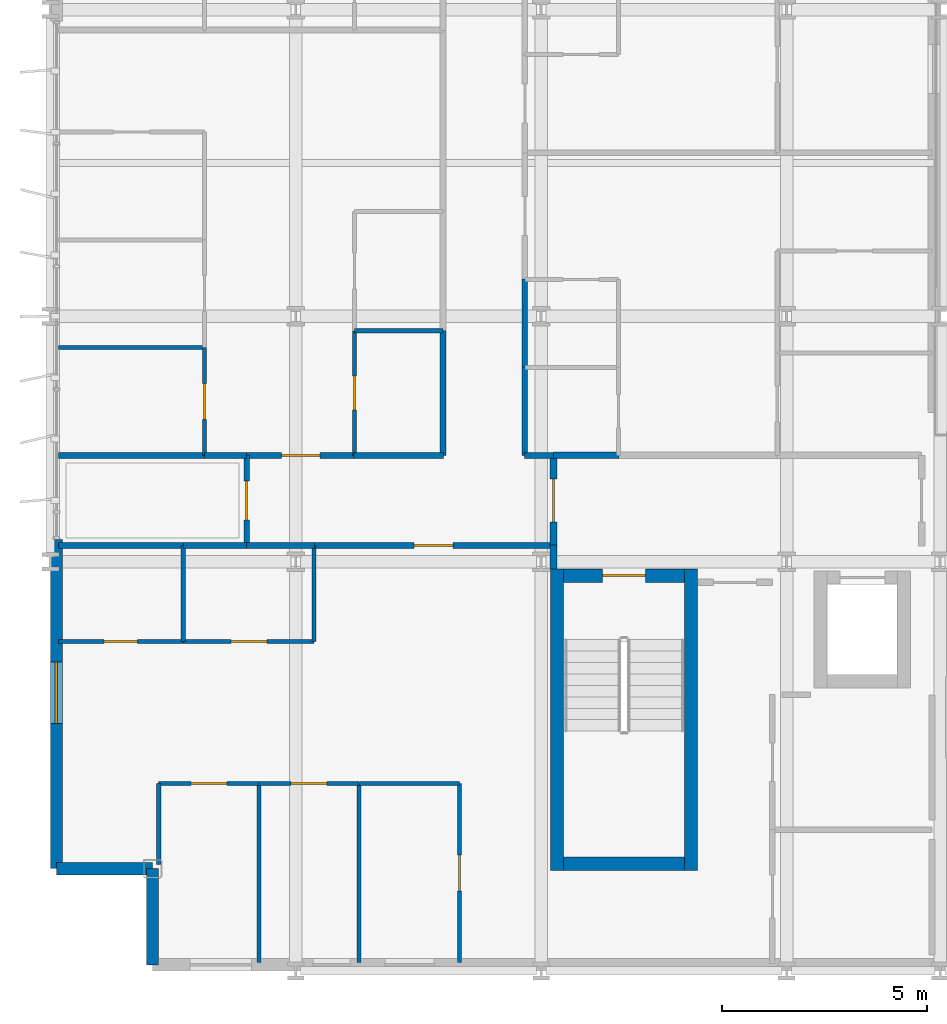
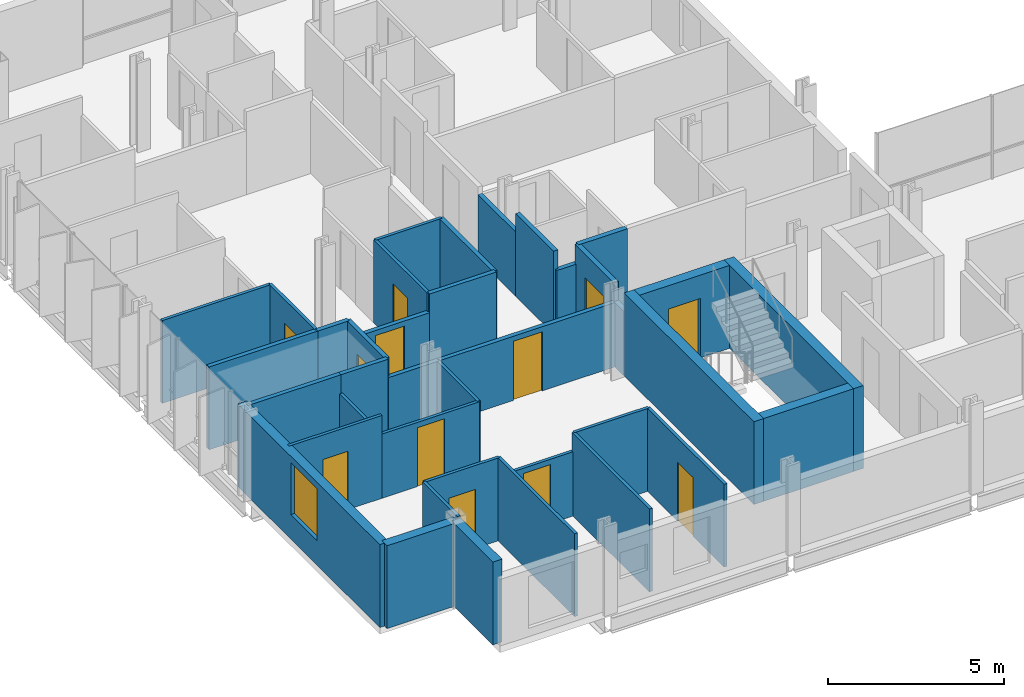
# One storey, part 27 of 39: 38 walls, 12 doors, 1 window, 13 openings.
"""IFC4 building model written with IfcOpenShell, lengths in metres."""

from ifc_helpers import new_model, si_unit, direction, frame, frame_2d, origin, place, context, subcontext, project, spatial, rectangle, extrude, material, layer, layer_set, type_object, element, fill, save


model = new_model("IFC4")

# Units and contexts
model_context = context("Model", 3, precision=1e-05, world=origin(), true_north=direction((0.0, 1.0)))
body_context = subcontext(model_context, "Body", "Model", "MODEL_VIEW")
ifc_project = project(units=[si_unit("LENGTHUNIT", "METRE"), si_unit("AREAUNIT", "SQUARE_METRE"), si_unit("VOLUMEUNIT", "CUBIC_METRE"), si_unit("PLANEANGLEUNIT", "RADIAN"), si_unit("MASSUNIT", "GRAM", prefix="KILO")], contexts=[model_context])

# Site, building, storey
site_placement = place(None, origin())
site = spatial("IfcSite", under=ifc_project, at=site_placement, CompositionType="ELEMENT")
building_placement = place(site_placement, origin())
building = spatial("IfcBuilding", under=site, at=building_placement, Name="Brevholm Reach", CompositionType="ELEMENT")
storey_placement = place(building_placement, frame((0.0, 0.0, 40.39990234375)))
storey = spatial("IfcBuildingStorey", under=building, at=storey_placement, Name="L10", CompositionType="ELEMENT", Elevation=40.39990234375)

# Walls
ifc_material_1 = material(Name="Concrete C60/75", Category="concrete")
ifc_layer_1 = layer(ifc_material_1, 0.320068359375)
ifc_layer_set_1 = layer_set([ifc_layer_1], Name="Concrete C60/75")
wall_type_1 = type_object("IfcWallType", Name="WAL-COR-320", PredefinedType="SHEAR", material=ifc_layer_set_1)
for number, where, z_axis, x_axis, name in (
    (1, (12.389892578125, 2.4599609375, 0.0), (0.0, 0.0, 1.0), (0.0, 1.0, 0.0), "L10 Escape Stair ST-1 Core Wall W"),
    (2, (15.659912109375, 2.4599609375, 0.0), (0.0, 0.0, 1.0), (0.0, 1.0, 0.0), "L10 Escape Stair ST-1 Core Wall E"),
):
    element("IfcWall", number, at=place(storey_placement, frame(where, z_axis=z_axis, x_axis=x_axis)), inside=storey, type_object=wall_type_1, Name=name, PredefinedType="SHEAR", context=body_context, shape_type="SweptSolid", body=[
        extrude(rectangle(XDim=7.360107421875, YDim=0.320068359375, at=frame_2d((3.68017578125, 0.0))), origin(), (0.0, 0.0, 1.0), 2.8701171875),
    ])
wall_1_placement = place(storey_placement, frame((12.550048828125, 2.6201171875, 0.0), z_axis=(0.0, 0.0, 1.0), x_axis=(1.0, 0.0, 0.0)))
element("IfcWall", 3, at=wall_1_placement, inside=storey, type_object=wall_type_1, Name="L10 Escape Stair ST-1 Core Wall S", PredefinedType="SHEAR", context=body_context, shape_type="SweptSolid", body=[
    extrude(rectangle(XDim=2.949951171875, YDim=0.320068359375, at=frame_2d((1.47509765625, 0.0))), origin(), (0.0, 0.0, 1.0), 2.8701171875),
])

# Wall, opening, door
wall_2_placement = place(storey_placement, frame((15.5, 9.659912109375, 0.0), z_axis=(0.0, 0.0, 1.0), x_axis=(-1.0, 0.0, 0.0)))
wall_2 = element("IfcWall", 4, at=wall_2_placement, inside=storey, type_object=wall_type_1, Name="L10 Escape Stair ST-1 Core Wall N", PredefinedType="SHEAR", context=body_context, shape_type="SweptSolid", body=[
    extrude(rectangle(XDim=2.949951171875, YDim=0.320068359375, at=frame_2d((1.47509765625, 0.0))), origin(), (0.0, 0.0, 1.0), 2.8701171875),
])
opening_1_placement = place(wall_2_placement, frame((0.949951171875, 0.0, 0.0)))
opening_1 = element("IfcOpeningElement", 5, at=opening_1_placement, cuts=wall_2, Name="Opening SD-ST-1", PredefinedType="OPENING", context=body_context, shape_type="SweptSolid", body=[
    extrude(rectangle(XDim=1.050048828125, YDim=2.06005859375, at=frame_2d((0.52490234375, 1.030029296875))), frame((0.0, 0.169921875, 0.0), z_axis=(0.0, -1.0, 0.0), x_axis=(1.0, 0.0, 0.0)), (0.0, 0.0, 1.0), 0.340087890625),
])
ifc_material_2 = material(Name="Hardwood-Lipped Steel-Core Fire and Smoke Door", Category="steel")
door_type_1 = type_object("IfcDoorType", Name="DOR-INT-FD60S", OperationType="NOTDEFINED", PredefinedType="DOOR", material=ifc_material_2)
door_1_placement = place(opening_1_placement, origin())
door_1 = element("IfcDoor", 6, at=door_1_placement, inside=storey, type_object=door_type_1, Name="L10 Protected Stair ST-1 Lobby Door", OperationType="SINGLE_SWING_RIGHT", OverallHeight=2.06005859375, OverallWidth=1.050048828125, PredefinedType="DOOR", context=body_context, shape_type="SweptSolid", body=[
    extrude(rectangle(XDim=1.050048828125, YDim=2.06005859375, at=frame_2d((0.52490234375, 1.030029296875))), frame((0.0, 0.02490234375, 0.0), z_axis=(0.0, -1.0, 0.0), x_axis=(1.0, 0.0, 0.0)), (0.0, 0.0, 1.0), 0.050048828125),
])
fill(opening_1, door_1)

# Walls
ifc_material_3 = material(Name="Concrete C40/50", Category="concrete")
ifc_layer_2 = layer(ifc_material_3, 0.300048828125)
ifc_layer_set_2 = layer_set([ifc_layer_2], Name="Concrete C40/50")
wall_type_2 = type_object("IfcWallType", Name="WAL-EXT-300", PredefinedType="STANDARD", material=ifc_layer_set_2)
for number, where, z_axis, x_axis, name in (
    (7, (2.5, 2.5, 0.0), (0.0, 0.0, 1.0), (0.0, -1.0, 0.0), "L10 Facade Wall WAL-L10-CSW1"),
    (8, (0.14990234375, 2.5, 0.0), (0.0, 0.0, 1.0), (1.0, 0.0, 0.0), "L10 Facade Wall WAL-L10-CSW2"),
):
    element("IfcWall", number, at=place(storey_placement, frame(where, z_axis=z_axis, x_axis=x_axis)), inside=storey, type_object=wall_type_2, Name=name, PredefinedType="STANDARD", context=body_context, shape_type="SweptSolid", body=[
        extrude(rectangle(XDim=2.35009765625, YDim=0.300048828125, at=frame_2d((1.175048828125, 0.0))), origin(), (0.0, 0.0, 1.0), 2.8701171875),
    ])

# Wall, opening, window
wall_3_placement = place(storey_placement, frame((0.14990234375, 10.550048828125, 0.0), z_axis=(0.0, 0.0, 1.0), x_axis=(0.0, -1.0, 0.0)))
wall_3 = element("IfcWall", 9, at=wall_3_placement, inside=storey, type_object=wall_type_2, Name="L10 Facade Wall WAL-L10-W-S", PredefinedType="STANDARD", context=body_context, shape_type="SweptSolid", body=[
    extrude(rectangle(XDim=8.050048828125, YDim=0.300048828125, at=frame_2d((4.02490234375, 0.0))), origin(), (0.0, 0.0, 1.0), 2.8701171875),
])
opening_2_placement = place(wall_3_placement, frame((3.0, 0.0, 0.85009765625)))
opening_2 = element("IfcOpeningElement", 10, at=opening_2_placement, cuts=wall_3, Name="Opening WN-05", PredefinedType="OPENING", context=body_context, shape_type="SweptSolid", body=[
    extrude(rectangle(XDim=1.5, YDim=1.800048828125, at=frame_2d((0.75, 0.89990234375))), frame((0.0, 0.159912109375, 0.0), z_axis=(0.0, -1.0, 0.0), x_axis=(1.0, 0.0, 0.0)), (0.0, 0.0, 1.0), 0.320068359375),
])
ifc_material_4 = material(Name="Dark Anodised Aluminium and Solar-Control IGU Glass", Category="aluminium")
window_type = type_object("IfcWindowType", Name="WIN-RES-1500", PartitioningType="SINGLE_PANEL", PredefinedType="WINDOW", material=ifc_material_4)
window_placement = place(opening_2_placement, origin())
window = element("IfcWindow", 11, at=window_placement, inside=storey, type_object=window_type, Name="L10 Window WIN-L10-WS-1", OverallHeight=1.800048828125, OverallWidth=1.5, PartitioningType="SINGLE_PANEL", PredefinedType="WINDOW", context=body_context, shape_type="SweptSolid", body=[
    extrude(rectangle(XDim=1.5, YDim=1.800048828125, at=frame_2d((0.75, 0.89990234375))), frame((0.0, 0.030029296875, 0.0), z_axis=(0.0, -1.0, 0.0), x_axis=(1.0, 0.0, 0.0)), (0.0, 0.0, 1.0), 0.06005859375),
])
fill(opening_2, window)

# Wall
ifc_material_5 = material(Name="Moisture-Resistant Acoustic Gypsum Stud Partition 100 mm", Category="gypsum")
ifc_layer_3 = layer(ifc_material_5, 0.10009765625)
ifc_layer_set_3 = layer_set([ifc_layer_3], Name="Moisture-Resistant Acoustic Gypsum Stud Partition 100 mm")
wall_type_3 = type_object("IfcWallType", Name="WAL-PRT-100", PredefinedType="PARTITIONING", material=ifc_layer_set_3)
wall_4_placement = place(storey_placement, frame((3.25, 8.053955078125, 0.0), z_axis=(0.0, 0.0, 1.0), x_axis=(0.0, 1.0, 0.0)))
element("IfcWall", 12, at=wall_4_placement, inside=storey, type_object=wall_type_3, Name="L10 Internal Partition 066", PredefinedType="PARTITIONING", context=body_context, shape_type="SweptSolid", body=[
    extrude(rectangle(XDim=2.345947265625, YDim=0.10009765625, at=frame_2d((1.1728515625, 0.0))), origin(), (0.0, 0.0, 1.0), 2.224853515625),
])

# Wall, opening, door
wall_5_placement = place(storey_placement, frame((0.199951171875, 8.053955078125, 0.0), z_axis=(0.0, 0.0, 1.0), x_axis=(1.0, 0.0, 0.0)))
wall_5 = element("IfcWall", 13, at=wall_5_placement, inside=storey, type_object=wall_type_3, Name="L10 Internal Partition 067", PredefinedType="PARTITIONING", context=body_context, shape_type="SweptSolid", body=[
    extrude(rectangle(XDim=3.050048828125, YDim=0.10009765625, at=frame_2d((1.52490234375, 0.0))), origin(), (0.0, 0.0, 1.0), 2.8701171875),
])
opening_3_placement = place(wall_5_placement, frame((1.114990234375, 0.0, 0.0)))
opening_3 = element("IfcOpeningElement", 14, at=opening_3_placement, cuts=wall_5, Name="Opening ID-03", PredefinedType="OPENING", context=body_context, shape_type="SweptSolid", body=[
    extrude(rectangle(XDim=0.820068359375, YDim=2.02001953125, at=frame_2d((0.41015625, 1.010009765625))), frame((0.0, 0.06005859375, 0.0), z_axis=(0.0, -1.0, 0.0), x_axis=(1.0, 0.0, 0.0)), (0.0, 0.0, 1.0), 0.1201171875),
])
ifc_material_6 = material(Name="Moisture-Resistant Painted Timber Internal Bathroom Door", Category="wood")
door_type_2 = type_object("IfcDoorType", Name="DOR-BATH-820", OperationType="NOTDEFINED", PredefinedType="DOOR", material=ifc_material_6)
door_2_placement = place(opening_3_placement, origin())
door_2 = element("IfcDoor", 15, at=door_2_placement, inside=storey, type_object=door_type_2, Name="L10 Internal Door 025", OperationType="SINGLE_SWING_LEFT", OverallHeight=2.02001953125, OverallWidth=0.820068359375, PredefinedType="DOOR", context=body_context, shape_type="SweptSolid", body=[
    extrude(rectangle(XDim=0.820068359375, YDim=2.02001953125, at=frame_2d((0.41015625, 1.010009765625))), frame((0.0, 0.02490234375, 0.0), z_axis=(0.0, -1.0, 0.0), x_axis=(1.0, 0.0, 0.0)), (0.0, 0.0, 1.0), 0.050048828125),
])
fill(opening_3, door_2)

wall_6_placement = place(storey_placement, frame((3.25390625, 8.053955078125, 0.0), z_axis=(0.0, 0.0, 1.0), x_axis=(1.0, 0.0, 0.0)))
wall_6 = element("IfcWall", 16, at=wall_6_placement, inside=storey, type_object=wall_type_3, Name="L10 Internal Partition 069", PredefinedType="PARTITIONING", context=body_context, shape_type="SweptSolid", body=[
    extrude(rectangle(XDim=3.196044921875, YDim=0.10009765625, at=frame_2d((1.59814453125, 0.0))), origin(), (0.0, 0.0, 1.0), 2.224853515625),
])
opening_4_placement = place(wall_6_placement, frame((1.157958984375, 0.0, 0.0)))
opening_4 = element("IfcOpeningElement", 17, at=opening_4_placement, cuts=wall_6, Name="Opening ID-01", PredefinedType="OPENING", context=body_context, shape_type="SweptSolid", body=[
    extrude(rectangle(XDim=0.8798828125, YDim=2.0400390625, at=frame_2d((0.43994140625, 1.02001953125))), frame((0.0, 0.06005859375, 0.0), z_axis=(0.0, -1.0, 0.0), x_axis=(1.0, 0.0, 0.0)), (0.0, 0.0, 1.0), 0.1201171875),
])
ifc_material_7 = material(Name="Lacquered Ash Solid-Core Acoustic Internal Door", Category="timber")
door_type_3 = type_object("IfcDoorType", Name="DOR-INT-880", OperationType="NOTDEFINED", PredefinedType="DOOR", material=ifc_material_7)
door_3_placement = place(opening_4_placement, origin())
door_3 = element("IfcDoor", 18, at=door_3_placement, inside=storey, type_object=door_type_3, Name="L10 Internal Door 026", OperationType="SINGLE_SWING_RIGHT", OverallHeight=2.0400390625, OverallWidth=0.8798828125, PredefinedType="DOOR", context=body_context, shape_type="SweptSolid", body=[
    extrude(rectangle(XDim=0.8798828125, YDim=2.0400390625, at=frame_2d((0.43994140625, 1.02001953125))), frame((0.0, 0.02490234375, 0.0), z_axis=(0.0, -1.0, 0.0), x_axis=(1.0, 0.0, 0.0)), (0.0, 0.0, 1.0), 0.050048828125),
])
fill(opening_4, door_3)

# Walls
wall_7_placement = place(storey_placement, frame((6.449951171875, 8.053955078125, 0.0), z_axis=(0.0, 0.0, 1.0), x_axis=(0.0, 1.0, 0.0)))
element("IfcWall", 19, at=wall_7_placement, inside=storey, type_object=wall_type_3, Name="L10 Internal Partition 070", PredefinedType="PARTITIONING", context=body_context, shape_type="SweptSolid", body=[
    extrude(rectangle(XDim=2.342041015625, YDim=0.10009765625, at=frame_2d((1.1708984375, 0.0))), origin(), (0.0, 0.0, 1.0), 2.224853515625),
])
wall_8_placement = place(storey_placement, frame((5.10009765625, 0.199951171875, 0.0), z_axis=(0.0, 0.0, 1.0), x_axis=(0.0, 1.0, 0.0)))
element("IfcWall", 20, at=wall_8_placement, inside=storey, type_object=wall_type_3, Name="L10 Internal Partition 072", PredefinedType="PARTITIONING", context=body_context, shape_type="SweptSolid", body=[
    extrude(rectangle(XDim=4.385986328125, YDim=0.10009765625, at=frame_2d((2.19287109375, 0.0))), origin(), (0.0, 0.0, 1.0), 2.8701171875),
])
wall_9_placement = place(storey_placement, frame((2.64990234375, 2.599365234375, 0.0), z_axis=(0.0, 0.0, 1.0), x_axis=(0.0, 1.0, 0.0)))
element("IfcWall", 21, at=wall_9_placement, inside=storey, type_object=wall_type_3, Name="L10 Internal Partition 073", PredefinedType="PARTITIONING", context=body_context, shape_type="SweptSolid", body=[
    extrude(rectangle(XDim=1.986572265625, YDim=0.10009765625, at=frame_2d((0.9931640625, 0.0))), origin(), (0.0, 0.0, 1.0), 2.8701171875),
])

# Wall, opening, door
wall_10_placement = place(storey_placement, frame((2.64990234375, 4.5859375, 0.0), z_axis=(0.0, 0.0, 1.0), x_axis=(1.0, 0.0, 0.0)))
wall_10 = element("IfcWall", 22, at=wall_10_placement, inside=storey, type_object=wall_type_3, Name="L10 Internal Partition 074", PredefinedType="PARTITIONING", context=body_context, shape_type="SweptSolid", body=[
    extrude(rectangle(XDim=2.4501953125, YDim=0.10009765625, at=frame_2d((1.22509765625, 0.0))), origin(), (0.0, 0.0, 1.0), 2.8701171875),
])
opening_5_placement = place(wall_10_placement, frame((0.784912109375, 0.0, 0.0)))
opening_5 = element("IfcOpeningElement", 23, at=opening_5_placement, cuts=wall_10, Name="Opening ID-01", PredefinedType="OPENING", context=body_context, shape_type="SweptSolid", body=[
    extrude(rectangle(XDim=0.8798828125, YDim=2.0400390625, at=frame_2d((0.43994140625, 1.02001953125))), frame((0.0, 0.06005859375, 0.0), z_axis=(0.0, -1.0, 0.0), x_axis=(1.0, 0.0, 0.0)), (0.0, 0.0, 1.0), 0.1201171875),
])
door_4_placement = place(opening_5_placement, origin())
door_4 = element("IfcDoor", 24, at=door_4_placement, inside=storey, type_object=door_type_3, Name="L10 Internal Door 027", OperationType="SINGLE_SWING_LEFT", OverallHeight=2.0400390625, OverallWidth=0.8798828125, PredefinedType="DOOR", context=body_context, shape_type="SweptSolid", body=[
    extrude(rectangle(XDim=0.8798828125, YDim=2.0400390625, at=frame_2d((0.43994140625, 1.02001953125))), frame((0.0, 0.02490234375, 0.0), z_axis=(0.0, -1.0, 0.0), x_axis=(1.0, 0.0, 0.0)), (0.0, 0.0, 1.0), 0.050048828125),
])
fill(opening_5, door_4)

# Wall
wall_11_placement = place(storey_placement, frame((7.550048828125, 0.199951171875, 0.0), z_axis=(0.0, 0.0, 1.0), x_axis=(0.0, 1.0, 0.0)))
element("IfcWall", 25, at=wall_11_placement, inside=storey, type_object=wall_type_3, Name="L10 Internal Partition 075", PredefinedType="PARTITIONING", context=body_context, shape_type="SweptSolid", body=[
    extrude(rectangle(XDim=4.385986328125, YDim=0.10009765625, at=frame_2d((2.19287109375, 0.0))), origin(), (0.0, 0.0, 1.0), 2.8701171875),
])

# Wall, opening, door
wall_12_placement = place(storey_placement, frame((5.10400390625, 4.5859375, 0.0), z_axis=(0.0, 0.0, 1.0), x_axis=(1.0, 0.0, 0.0)))
wall_12 = element("IfcWall", 26, at=wall_12_placement, inside=storey, type_object=wall_type_3, Name="L10 Internal Partition 076", PredefinedType="PARTITIONING", context=body_context, shape_type="SweptSolid", body=[
    extrude(rectangle(XDim=2.446044921875, YDim=0.10009765625, at=frame_2d((1.22314453125, 0.0))), origin(), (0.0, 0.0, 1.0), 2.224853515625),
])
opening_6_placement = place(wall_12_placement, frame((0.782958984375, 0.0, 0.0)))
opening_6 = element("IfcOpeningElement", 27, at=opening_6_placement, cuts=wall_12, Name="Opening ID-01", PredefinedType="OPENING", context=body_context, shape_type="SweptSolid", body=[
    extrude(rectangle(XDim=0.8798828125, YDim=2.0400390625, at=frame_2d((0.43994140625, 1.02001953125))), frame((0.0, 0.06005859375, 0.0), z_axis=(0.0, -1.0, 0.0), x_axis=(1.0, 0.0, 0.0)), (0.0, 0.0, 1.0), 0.1201171875),
])
door_5_placement = place(opening_6_placement, origin())
door_5 = element("IfcDoor", 28, at=door_5_placement, inside=storey, type_object=door_type_3, Name="L10 Internal Door 028", OperationType="SINGLE_SWING_RIGHT", OverallHeight=2.0400390625, OverallWidth=0.8798828125, PredefinedType="DOOR", context=body_context, shape_type="SweptSolid", body=[
    extrude(rectangle(XDim=0.8798828125, YDim=2.0400390625, at=frame_2d((0.43994140625, 1.02001953125))), frame((0.0, 0.02490234375, 0.0), z_axis=(0.0, -1.0, 0.0), x_axis=(1.0, 0.0, 0.0)), (0.0, 0.0, 1.0), 0.050048828125),
])
fill(opening_6, door_5)

wall_13_placement = place(storey_placement, frame((10.0, 0.199951171875, 0.0), z_axis=(0.0, 0.0, 1.0), x_axis=(0.0, 1.0, 0.0)))
wall_13 = element("IfcWall", 29, at=wall_13_placement, inside=storey, type_object=wall_type_3, Name="L10 Internal Partition 077", PredefinedType="PARTITIONING", context=body_context, shape_type="SweptSolid", body=[
    extrude(rectangle(XDim=4.385986328125, YDim=0.10009765625, at=frame_2d((2.19287109375, 0.0))), origin(), (0.0, 0.0, 1.0), 2.8701171875),
])
opening_7_placement = place(wall_13_placement, frame((1.7529296875, 0.0, 0.0)))
opening_7 = element("IfcOpeningElement", 30, at=opening_7_placement, cuts=wall_13, Name="Opening ID-01", PredefinedType="OPENING", context=body_context, shape_type="SweptSolid", body=[
    extrude(rectangle(XDim=0.8798828125, YDim=2.0400390625, at=frame_2d((0.43994140625, 1.02001953125))), frame((0.0, 0.06005859375, 0.0), z_axis=(0.0, -1.0, 0.0), x_axis=(1.0, 0.0, 0.0)), (0.0, 0.0, 1.0), 0.1201171875),
])
door_6_placement = place(opening_7_placement, origin())
door_6 = element("IfcDoor", 31, at=door_6_placement, inside=storey, type_object=door_type_3, Name="L10 Internal Door 029", OperationType="SINGLE_SWING_LEFT", OverallHeight=2.0400390625, OverallWidth=0.8798828125, PredefinedType="DOOR", context=body_context, shape_type="SweptSolid", body=[
    extrude(rectangle(XDim=0.8798828125, YDim=2.0400390625, at=frame_2d((0.43994140625, 1.02001953125))), frame((0.0, 0.02490234375, 0.0), z_axis=(0.0, -1.0, 0.0), x_axis=(1.0, 0.0, 0.0)), (0.0, 0.0, 1.0), 0.050048828125),
])
fill(opening_7, door_6)

# Walls
wall_14_placement = place(storey_placement, frame((7.553955078125, 4.5859375, 0.0), z_axis=(0.0, 0.0, 1.0), x_axis=(1.0, 0.0, 0.0)))
element("IfcWall", 32, at=wall_14_placement, inside=storey, type_object=wall_type_3, Name="L10 Internal Partition 078", PredefinedType="PARTITIONING", context=body_context, shape_type="SweptSolid", body=[
    extrude(rectangle(XDim=2.446044921875, YDim=0.10009765625, at=frame_2d((1.22314453125, 0.0))), origin(), (0.0, 0.0, 1.0), 2.8701171875),
])
wall_15_placement = place(storey_placement, frame((7.43798828125, 15.64794921875, 0.0), z_axis=(0.0, 0.0, 1.0), x_axis=(1.0, 0.0, 0.0)))
element("IfcWall", 33, at=wall_15_placement, inside=storey, type_object=wall_type_3, Name="L10 Internal Partition 093", PredefinedType="PARTITIONING", context=body_context, shape_type="SweptSolid", body=[
    extrude(rectangle(XDim=2.157958984375, YDim=0.10009765625, at=frame_2d((1.0791015625, 0.0))), origin(), (0.0, 0.0, 1.0), 2.8701171875),
])

# Wall, opening, door
wall_16_placement = place(storey_placement, frame((7.43798828125, 12.60400390625, 0.0), z_axis=(0.0, 0.0, 1.0), x_axis=(0.0, 1.0, 0.0)))
wall_16 = element("IfcWall", 34, at=wall_16_placement, inside=storey, type_object=wall_type_3, Name="L10 Internal Partition 094", PredefinedType="PARTITIONING", context=body_context, shape_type="SweptSolid", body=[
    extrude(rectangle(XDim=3.0439453125, YDim=0.10009765625, at=frame_2d((1.52197265625, 0.0))), origin(), (0.0, 0.0, 1.0), 2.8701171875),
])
opening_8_placement = place(wall_16_placement, frame((1.112060546875, 0.0, 0.0)))
opening_8 = element("IfcOpeningElement", 35, at=opening_8_placement, cuts=wall_16, Name="Opening ID-03", PredefinedType="OPENING", context=body_context, shape_type="SweptSolid", body=[
    extrude(rectangle(XDim=0.820068359375, YDim=2.02001953125, at=frame_2d((0.41015625, 1.010009765625))), frame((0.0, 0.06005859375, 0.0), z_axis=(0.0, -1.0, 0.0), x_axis=(1.0, 0.0, 0.0)), (0.0, 0.0, 1.0), 0.1201171875),
])
door_7_placement = place(opening_8_placement, origin())
door_7 = element("IfcDoor", 36, at=door_7_placement, inside=storey, type_object=door_type_2, Name="L10 Internal Door 034", OperationType="SINGLE_SWING_RIGHT", OverallHeight=2.02001953125, OverallWidth=0.820068359375, PredefinedType="DOOR", context=body_context, shape_type="SweptSolid", body=[
    extrude(rectangle(XDim=0.820068359375, YDim=2.02001953125, at=frame_2d((0.41015625, 1.010009765625))), frame((0.0, 0.02490234375, 0.0), z_axis=(0.0, -1.0, 0.0), x_axis=(1.0, 0.0, 0.0)), (0.0, 0.0, 1.0), 0.050048828125),
])
fill(opening_8, door_7)

# Wall
wall_17_placement = place(storey_placement, frame((0.199951171875, 15.235107421875, 0.0), z_axis=(0.0, 0.0, 1.0), x_axis=(1.0, 0.0, 0.0)))
element("IfcWall", 37, at=wall_17_placement, inside=storey, type_object=wall_type_3, Name="L10 Internal Partition 097", PredefinedType="PARTITIONING", context=body_context, shape_type="SweptSolid", body=[
    extrude(rectangle(XDim=3.572021484375, YDim=0.10009765625, at=frame_2d((1.7861328125, 0.0))), origin(), (0.0, 0.0, 1.0), 2.8701171875),
])

# Wall, opening, door
wall_18_placement = place(storey_placement, frame((3.77197265625, 12.60400390625, 0.0), z_axis=(0.0, 0.0, 1.0), x_axis=(0.0, 1.0, 0.0)))
wall_18 = element("IfcWall", 38, at=wall_18_placement, inside=storey, type_object=wall_type_3, Name="L10 Internal Partition 098", PredefinedType="PARTITIONING", context=body_context, shape_type="SweptSolid", body=[
    extrude(rectangle(XDim=2.631103515625, YDim=0.10009765625, at=frame_2d((1.3154296875, 0.0))), origin(), (0.0, 0.0, 1.0), 2.8701171875),
])
opening_9_placement = place(wall_18_placement, frame((0.87548828125, 0.0, 0.0)))
opening_9 = element("IfcOpeningElement", 39, at=opening_9_placement, cuts=wall_18, Name="Opening ID-01", PredefinedType="OPENING", context=body_context, shape_type="SweptSolid", body=[
    extrude(rectangle(XDim=0.8798828125, YDim=2.0400390625, at=frame_2d((0.43994140625, 1.02001953125))), frame((0.0, 0.06005859375, 0.0), z_axis=(0.0, -1.0, 0.0), x_axis=(1.0, 0.0, 0.0)), (0.0, 0.0, 1.0), 0.1201171875),
])
door_8_placement = place(opening_9_placement, origin())
door_8 = element("IfcDoor", 40, at=door_8_placement, inside=storey, type_object=door_type_3, Name="L10 Internal Door 036", OperationType="SINGLE_SWING_RIGHT", OverallHeight=2.0400390625, OverallWidth=0.8798828125, PredefinedType="DOOR", context=body_context, shape_type="SweptSolid", body=[
    extrude(rectangle(XDim=0.8798828125, YDim=2.0400390625, at=frame_2d((0.43994140625, 1.02001953125))), frame((0.0, 0.02490234375, 0.0), z_axis=(0.0, -1.0, 0.0), x_axis=(1.0, 0.0, 0.0)), (0.0, 0.0, 1.0), 0.050048828125),
])
fill(opening_9, door_8)

# Wall
ifc_material_8 = material(Name="Twin-Stud Acoustic Fire-Rated Gypsum Partition 140 mm", Category="gypsum")
ifc_layer_4 = layer(ifc_material_8, 0.139892578125)
ifc_layer_set_4 = layer_set([ifc_layer_4], Name="Twin-Stud Acoustic Fire-Rated Gypsum Partition 140 mm")
wall_type_4 = type_object("IfcWallType", Name="WAL-PRT-140", PredefinedType="PARTITIONING", material=ifc_layer_set_4)
wall_19_placement = place(storey_placement, frame((4.800048828125, 10.39990234375, 0.0), z_axis=(0.0, 0.0, 1.0), x_axis=(1.0, 0.0, 0.0)))
element("IfcWall", 41, at=wall_19_placement, inside=storey, type_object=wall_type_4, Name="L10 Internal Partition 029", PredefinedType="PARTITIONING", context=body_context, shape_type="SweptSolid", body=[
    extrude(rectangle(XDim=1.6611328125, YDim=0.139892578125, at=frame_2d((0.83056640625, 0.0))), origin(), (0.0, 0.0, 1.0), 2.224853515625),
])

# Wall, opening, door
wall_20_placement = place(storey_placement, frame((6.442626953125, 10.39990234375, 0.0), z_axis=(0.0, 0.0, 1.0), x_axis=(1.0, 0.0, 0.0)))
wall_20 = element("IfcWall", 42, at=wall_20_placement, inside=storey, type_object=wall_type_4, Name="L10 Internal Partition 030", PredefinedType="PARTITIONING", context=body_context, shape_type="SweptSolid", body=[
    extrude(rectangle(XDim=5.853271484375, YDim=0.139892578125, at=frame_2d((2.9267578125, 0.0))), origin(), (0.0, 0.0, 1.0), 2.224853515625),
])
opening_10_placement = place(wall_20_placement, frame((2.45166015625, 0.0, 0.0)))
opening_10 = element("IfcOpeningElement", 43, at=opening_10_placement, cuts=wall_20, Name="Opening ID-30", PredefinedType="OPENING", context=body_context, shape_type="SweptSolid", body=[
    extrude(rectangle(XDim=0.949951171875, YDim=2.050048828125, at=frame_2d((0.47509765625, 1.02490234375))), frame((0.0, 0.079833984375, 0.0), z_axis=(0.0, -1.0, 0.0), x_axis=(1.0, 0.0, 0.0)), (0.0, 0.0, 1.0), 0.159912109375),
])
ifc_material_9 = material(Name="European Oak Veneered Solid-Core Fire Entrance Door", Category="timber")
door_type_4 = type_object("IfcDoorType", Name="DOR-FLT-FD30S", OperationType="NOTDEFINED", PredefinedType="DOOR", material=ifc_material_9)
door_9_placement = place(opening_10_placement, origin())
door_9 = element("IfcDoor", 44, at=door_9_placement, inside=storey, type_object=door_type_4, Name="L10 Internal Door 015", OperationType="SINGLE_SWING_LEFT", OverallHeight=2.050048828125, OverallWidth=0.949951171875, PredefinedType="DOOR", context=body_context, shape_type="SweptSolid", body=[
    extrude(rectangle(XDim=0.949951171875, YDim=2.050048828125, at=frame_2d((0.47509765625, 1.02490234375))), frame((0.0, 0.02490234375, 0.0), z_axis=(0.0, -1.0, 0.0), x_axis=(1.0, 0.0, 0.0)), (0.0, 0.0, 1.0), 0.050048828125),
])
fill(opening_10, door_9)

wall_21_placement = place(storey_placement, frame((4.800048828125, 10.39990234375, 0.0), z_axis=(0.0, 0.0, 1.0), x_axis=(0.0, 1.0, 0.0)))
wall_21 = element("IfcWall", 45, at=wall_21_placement, inside=storey, type_object=wall_type_4, Name="L10 Internal Partition 031", PredefinedType="PARTITIONING", context=body_context, shape_type="SweptSolid", body=[
    extrude(rectangle(XDim=2.2001953125, YDim=0.139892578125, at=frame_2d((1.10009765625, 0.0))), origin(), (0.0, 0.0, 1.0), 2.8701171875),
])
opening_11_placement = place(wall_21_placement, frame((0.625, 0.0, 0.0)))
opening_11 = element("IfcOpeningElement", 46, at=opening_11_placement, cuts=wall_21, Name="Opening ID-30", PredefinedType="OPENING", context=body_context, shape_type="SweptSolid", body=[
    extrude(rectangle(XDim=0.949951171875, YDim=2.050048828125, at=frame_2d((0.47509765625, 1.02490234375))), frame((0.0, 0.079833984375, 0.0), z_axis=(0.0, -1.0, 0.0), x_axis=(1.0, 0.0, 0.0)), (0.0, 0.0, 1.0), 0.159912109375),
])
door_10_placement = place(opening_11_placement, origin())
door_10 = element("IfcDoor", 47, at=door_10_placement, inside=storey, type_object=door_type_4, Name="L10 Internal Door 016", OperationType="SINGLE_SWING_RIGHT", OverallHeight=2.050048828125, OverallWidth=0.949951171875, PredefinedType="DOOR", context=body_context, shape_type="SweptSolid", body=[
    extrude(rectangle(XDim=0.949951171875, YDim=2.050048828125, at=frame_2d((0.47509765625, 1.02490234375))), frame((0.0, 0.02490234375, 0.0), z_axis=(0.0, -1.0, 0.0), x_axis=(1.0, 0.0, 0.0)), (0.0, 0.0, 1.0), 0.050048828125),
])
fill(opening_11, door_10)

# Wall
wall_22_placement = place(storey_placement, frame((7.4267578125, 12.60009765625, 0.0), z_axis=(0.0, 0.0, 1.0), x_axis=(1.0, 0.0, 0.0)))
element("IfcWall", 48, at=wall_22_placement, inside=storey, type_object=wall_type_4, Name="L10 Internal Partition 032", PredefinedType="PARTITIONING", context=body_context, shape_type="SweptSolid", body=[
    extrude(rectangle(XDim=2.1806640625, YDim=0.139892578125, at=frame_2d((1.09033203125, 0.0))), origin(), (0.0, 0.0, 1.0), 2.8701171875),
])

# Wall, opening, door
wall_23_placement = place(storey_placement, frame((4.800048828125, 12.60009765625, 0.0), z_axis=(0.0, 0.0, 1.0), x_axis=(1.0, 0.0, 0.0)))
wall_23 = element("IfcWall", 49, at=wall_23_placement, inside=storey, type_object=wall_type_4, Name="L10 Internal Partition 033", PredefinedType="PARTITIONING", context=body_context, shape_type="SweptSolid", body=[
    extrude(rectangle(XDim=2.645263671875, YDim=0.139892578125, at=frame_2d((1.32275390625, 0.0))), origin(), (0.0, 0.0, 1.0), 2.224853515625),
])
opening_12_placement = place(wall_23_placement, frame((0.84765625, 0.0, 0.0)))
opening_12 = element("IfcOpeningElement", 50, at=opening_12_placement, cuts=wall_23, Name="Opening ID-30", PredefinedType="OPENING", context=body_context, shape_type="SweptSolid", body=[
    extrude(rectangle(XDim=0.949951171875, YDim=2.050048828125, at=frame_2d((0.47509765625, 1.02490234375))), frame((0.0, 0.079833984375, 0.0), z_axis=(0.0, -1.0, 0.0), x_axis=(1.0, 0.0, 0.0)), (0.0, 0.0, 1.0), 0.159912109375),
])
door_11_placement = place(opening_12_placement, origin())
door_11 = element("IfcDoor", 51, at=door_11_placement, inside=storey, type_object=door_type_4, Name="L10 Internal Door 017", OperationType="SINGLE_SWING_LEFT", OverallHeight=2.050048828125, OverallWidth=0.949951171875, PredefinedType="DOOR", context=body_context, shape_type="SweptSolid", body=[
    extrude(rectangle(XDim=0.949951171875, YDim=2.050048828125, at=frame_2d((0.47509765625, 1.02490234375))), frame((0.0, 0.02490234375, 0.0), z_axis=(0.0, -1.0, 0.0), x_axis=(1.0, 0.0, 0.0)), (0.0, 0.0, 1.0), 0.050048828125),
])
fill(opening_12, door_11)

# Walls
wall_24_placement = place(storey_placement, frame((11.5927734375, 12.60009765625, 0.0), z_axis=(0.0, 0.0, 1.0), x_axis=(1.0, 0.0, 0.0)))
element("IfcWall", 52, at=wall_24_placement, inside=storey, type_object=wall_type_4, Name="L10 Internal Partition 034", PredefinedType="PARTITIONING", context=body_context, shape_type="SweptSolid", body=[
    extrude(rectangle(XDim=0.703125, YDim=0.139892578125, at=frame_2d((0.3515625, 0.0))), origin(), (0.0, 0.0, 1.0), 2.224853515625),
])
wall_25_placement = place(storey_placement, frame((9.60009765625, 12.60400390625, 0.0), z_axis=(0.0, 0.0, 1.0), x_axis=(0.0, 1.0, 0.0)))
element("IfcWall", 53, at=wall_25_placement, inside=storey, type_object=wall_type_4, Name="L10 Internal Partition 038", PredefinedType="PARTITIONING", context=body_context, shape_type="SweptSolid", body=[
    extrude(rectangle(XDim=3.05517578125, YDim=0.139892578125, at=frame_2d((1.527587890625, 0.0))), origin(), (0.0, 0.0, 1.0), 2.8701171875),
])
wall_26_placement = place(storey_placement, frame((11.60009765625, 12.60400390625, 0.0), z_axis=(0.0, 0.0, 1.0), x_axis=(0.0, 1.0, 0.0)))
element("IfcWall", 54, at=wall_26_placement, inside=storey, type_object=wall_type_4, Name="L10 Internal Partition 044", PredefinedType="PARTITIONING", context=body_context, shape_type="SweptSolid", body=[
    extrude(rectangle(XDim=2.1572265625, YDim=0.139892578125, at=frame_2d((1.07861328125, 0.0))), origin(), (0.0, 0.0, 1.0), 2.8701171875),
])
wall_27_placement = place(storey_placement, frame((11.60009765625, 14.74267578125, 0.0), z_axis=(0.0, 0.0, 1.0), x_axis=(0.0, 1.0, 0.0)))
element("IfcWall", 55, at=wall_27_placement, inside=storey, type_object=wall_type_4, Name="L10 Internal Partition 045", PredefinedType="PARTITIONING", context=body_context, shape_type="SweptSolid", body=[
    extrude(rectangle(XDim=2.168701171875, YDim=0.139892578125, at=frame_2d((1.08447265625, 0.0))), origin(), (0.0, 0.0, 1.0), 2.224853515625),
])
wall_28_placement = place(storey_placement, frame((0.199951171875, 10.39990234375, 0.0), z_axis=(0.0, 0.0, 1.0), x_axis=(1.0, 0.0, 0.0)))
element("IfcWall", 56, at=wall_28_placement, inside=storey, type_object=wall_type_4, Name="L10 Internal Partition 068", PredefinedType="PARTITIONING", context=body_context, shape_type="SweptSolid", body=[
    extrude(rectangle(XDim=3.050048828125, YDim=0.139892578125, at=frame_2d((1.52490234375, 0.0))), origin(), (0.0, 0.0, 1.0), 2.8701171875),
])
wall_29_placement = place(storey_placement, frame((3.25390625, 10.39990234375, 0.0), z_axis=(0.0, 0.0, 1.0), x_axis=(1.0, 0.0, 0.0)))
element("IfcWall", 57, at=wall_29_placement, inside=storey, type_object=wall_type_4, Name="L10 Internal Partition 071", PredefinedType="PARTITIONING", context=body_context, shape_type="SweptSolid", body=[
    extrude(rectangle(XDim=1.5419921875, YDim=0.139892578125, at=frame_2d((0.77099609375, 0.0))), origin(), (0.0, 0.0, 1.0), 2.8701171875),
])
wall_30_placement = place(storey_placement, frame((0.199951171875, 12.60009765625, 0.0), z_axis=(0.0, 0.0, 1.0), x_axis=(1.0, 0.0, 0.0)))
element("IfcWall", 58, at=wall_30_placement, inside=storey, type_object=wall_type_4, Name="L10 Internal Partition 079", PredefinedType="PARTITIONING", context=body_context, shape_type="SweptSolid", body=[
    extrude(rectangle(XDim=3.583251953125, YDim=0.139892578125, at=frame_2d((1.79150390625, 0.0))), origin(), (0.0, 0.0, 1.0), 2.8701171875),
])
wall_31_placement = place(storey_placement, frame((3.7646484375, 12.60009765625, 0.0), z_axis=(0.0, 0.0, 1.0), x_axis=(1.0, 0.0, 0.0)))
element("IfcWall", 59, at=wall_31_placement, inside=storey, type_object=wall_type_4, Name="L10 Internal Partition 080", PredefinedType="PARTITIONING", context=body_context, shape_type="SweptSolid", body=[
    extrude(rectangle(XDim=1.03125, YDim=0.139892578125, at=frame_2d((0.515625, 0.0))), origin(), (0.0, 0.0, 1.0), 2.8701171875),
])

# Wall, opening, door
ifc_material_10 = material(Name="Twin-Frame Fire-Rated Gypsum Board and Mineral Wool 160 mm", Category="gypsum")
ifc_layer_5 = layer(ifc_material_10, 0.159912109375)
ifc_layer_set_5 = layer_set([ifc_layer_5], Name="Twin-Frame Fire-Rated Gypsum Board and Mineral Wool 160 mm")
wall_type_5 = type_object("IfcWallType", Name="WAL-PRT-160", PredefinedType="PARTITIONING", material=ifc_layer_set_5)
wall_32_placement = place(storey_placement, frame((12.300048828125, 10.388671875, 0.0), z_axis=(0.0, 0.0, 1.0), x_axis=(0.0, 1.0, 0.0)))
wall_32 = element("IfcWall", 60, at=wall_32_placement, inside=storey, type_object=wall_type_5, Name="L10 Internal Partition 018", PredefinedType="PARTITIONING", context=body_context, shape_type="SweptSolid", body=[
    extrude(rectangle(XDim=2.21142578125, YDim=0.159912109375, at=frame_2d((1.105712890625, 0.0))), origin(), (0.0, 0.0, 1.0), 2.8701171875),
])
opening_13_placement = place(wall_32_placement, frame((0.58056640625, 0.0, 0.0)))
opening_13 = element("IfcOpeningElement", 61, at=opening_13_placement, cuts=wall_32, Name="Opening FD-01", PredefinedType="OPENING", context=body_context, shape_type="SweptSolid", body=[
    extrude(rectangle(XDim=1.050048828125, YDim=2.06005859375, at=frame_2d((0.52490234375, 1.030029296875))), frame((0.0, 0.08984375, 0.0), z_axis=(0.0, -1.0, 0.0), x_axis=(1.0, 0.0, 0.0)), (0.0, 0.0, 1.0), 0.179931640625),
])
door_12_placement = place(opening_13_placement, origin())
door_12 = element("IfcDoor", 62, at=door_12_placement, inside=storey, type_object=door_type_1, Name="L10 Internal Door 011", OperationType="SINGLE_SWING_LEFT", OverallHeight=2.06005859375, OverallWidth=1.050048828125, PredefinedType="DOOR", context=body_context, shape_type="SweptSolid", body=[
    extrude(rectangle(XDim=1.050048828125, YDim=2.06005859375, at=frame_2d((0.52490234375, 1.030029296875))), frame((0.0, 0.02490234375, 0.0), z_axis=(0.0, -1.0, 0.0), x_axis=(1.0, 0.0, 0.0)), (0.0, 0.0, 1.0), 0.050048828125),
])
fill(opening_13, door_12)

# Walls
wall_33_placement = place(storey_placement, frame((12.300048828125, 9.830078125, 0.0), z_axis=(0.0, 0.0, 1.0), x_axis=(0.0, 1.0, 0.0)))
element("IfcWall", 63, at=wall_33_placement, inside=storey, type_object=wall_type_5, Name="L10 Internal Partition 020", PredefinedType="PARTITIONING", context=body_context, shape_type="SweptSolid", body=[
    extrude(rectangle(XDim=0.5771484375, YDim=0.159912109375, at=frame_2d((0.28857421875, 0.0))), origin(), (0.0, 0.0, 1.0), 2.224853515625),
])
wall_34_placement = place(storey_placement, frame((12.300048828125, 12.60009765625, 0.0), z_axis=(0.0, 0.0, 1.0), x_axis=(1.0, 0.0, 0.0)))
element("IfcWall", 64, at=wall_34_placement, inside=storey, type_object=wall_type_5, Name="L10 Internal Partition 021", PredefinedType="PARTITIONING", context=body_context, shape_type="SweptSolid", body=[
    extrude(rectangle(XDim=1.600341796875, YDim=0.159912109375, at=frame_2d((0.80029296875, 0.0))), origin(), (0.0, 0.0, 1.0), 2.8701171875),
])

save(model, "model.ifc")
